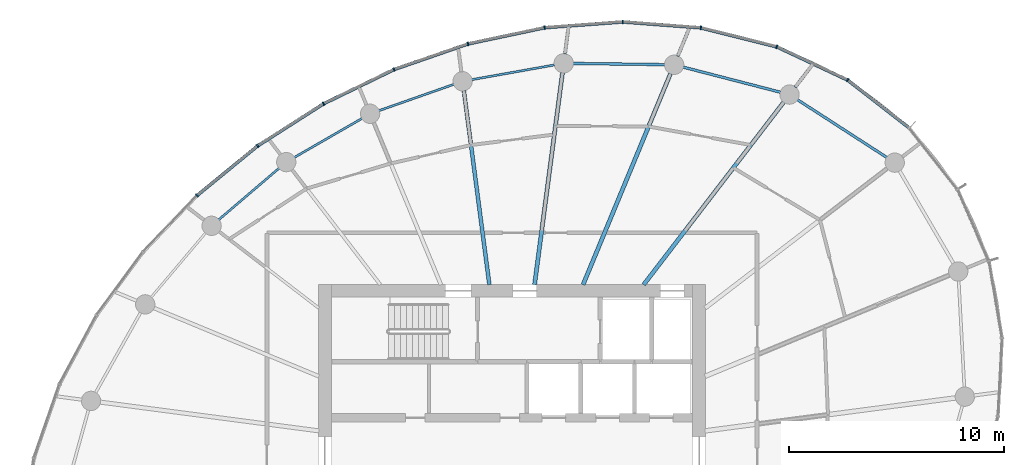
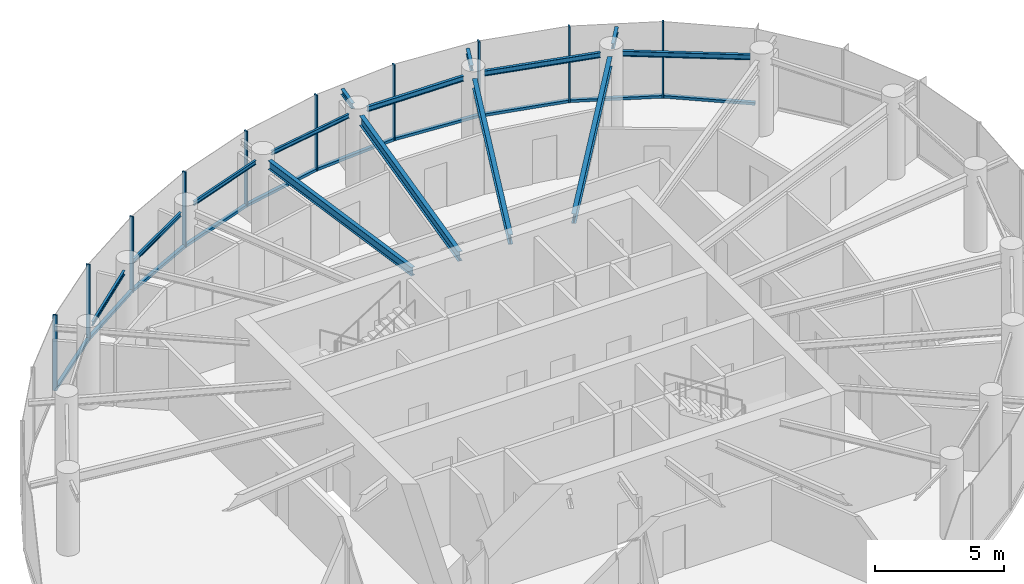
# One storey, part 6 of 14: 20 members, 14 beams, 2 elements without a shape of their own.
"""IFC4 building model written with IfcOpenShell, lengths in metres."""

from ifc_helpers import new_model, si_unit, direction, frame, origin, origin_2d, place, context, subcontext, project, spatial, rectangle, i_section, extrude, source, transform, mapped, material, layer, layer_set, material_profile, profile_set, type_object, element, aggregate, save


model = new_model("IFC4")

# Units and contexts
model_context = context("Model", 3, precision=1e-05, world=origin(), true_north=direction((0.0, 1.0)))
body_context = subcontext(model_context, "Body", "Model", "MODEL_VIEW")
ifc_project = project(units=[si_unit("LENGTHUNIT", "METRE"), si_unit("AREAUNIT", "SQUARE_METRE"), si_unit("VOLUMEUNIT", "CUBIC_METRE"), si_unit("PLANEANGLEUNIT", "RADIAN"), si_unit("MASSUNIT", "GRAM", prefix="KILO")], contexts=[model_context])

# Site, building, storey
site_placement = place(None, origin())
site = spatial("IfcSite", under=ifc_project, at=site_placement, CompositionType="ELEMENT")
building_placement = place(site_placement, origin())
building = spatial("IfcBuilding", under=site, at=building_placement, Name="Spindrift Exchange Tower", CompositionType="ELEMENT")
storey_placement = place(building_placement, frame((0.0, 0.0, 211.10009765625)))
storey = spatial("IfcBuildingStorey", under=building, at=storey_placement, Name="L51", CompositionType="ELEMENT", Elevation=211.10009765625)

# Beams
ifc_material_1 = material(Name="Steel Grade 300", Category="steel")
ifc_material_profile_1 = material_profile(ifc_material_1, i_section(OverallWidth=0.18994140625, OverallDepth=0.4541015625, WebThickness=0.008544921875, FlangeThickness=0.0126953125, FilletRadius=0.013916015625, at=origin_2d()), Name="460UB67.1")
ifc_profile_set_1 = profile_set([ifc_material_profile_1], Name="Steel Grade 300")
beam_type_1 = type_object("IfcBeamType", Name="Floor Beam 460UB67.1 Steel Grade 300", PredefinedType="BEAM", material=ifc_profile_set_1)
shared_shape_1 = source(origin(), body_context, "Body", "SweptSolid", [
    extrude(i_section(OverallWidth=0.18994140625, OverallDepth=0.4541015625, WebThickness=0.008544921875, FlangeThickness=0.0126953125, FilletRadius=0.013916015625, at=origin_2d()), origin(), (0.0, 0.0, 1.0), 10.711181640625),
])
beam_1_placement = place(storey_placement, frame((58.12646484375, 55.984130859375, 3.352783203125), z_axis=(0.608756401092, 0.793357198322, 0.0), x_axis=(-0.793357198322, 0.608756401092, 0.0)))
element("IfcBeam", 1, at=beam_1_placement, inside=storey, type_object=beam_type_1, Name="L51 radial beam R04A", PredefinedType="BEAM", context=body_context, shape_type="MappedRepresentation", body=[
    mapped(shared_shape_1, transform((0.0, 0.0, 0.0), scale=1.0)),
])
shared_shape_2 = source(origin(), body_context, "Body", "SweptSolid", [
    extrude(i_section(OverallWidth=0.18994140625, OverallDepth=0.4541015625, WebThickness=0.008544921875, FlangeThickness=0.0126953125, FilletRadius=0.013916015625, at=origin_2d()), origin(), (0.0, 0.0, 1.0), 10.64111328125),
])
beam_2_placement = place(storey_placement, frame((55.30615234375, 55.9814453125, 3.352783203125), z_axis=(0.382672627597, 0.923884007919, 0.0), x_axis=(-0.923884007919, 0.382672627597, 0.0)))
element("IfcBeam", 2, at=beam_2_placement, inside=storey, type_object=beam_type_1, Name="L51 radial beam R05A", PredefinedType="BEAM", context=body_context, shape_type="MappedRepresentation", body=[
    mapped(shared_shape_2, transform((0.0, 0.0, 0.0), scale=1.0)),
])
shared_shape_3 = source(origin(), body_context, "Body", "SweptSolid", [
    extrude(i_section(OverallWidth=0.18994140625, OverallDepth=0.4541015625, WebThickness=0.008544921875, FlangeThickness=0.0126953125, FilletRadius=0.013916015625, at=origin_2d()), origin(), (0.0, 0.0, 1.0), 9.95703125),
])
beam_3_placement = place(storey_placement, frame((53.050537109375, 55.980224609375, 3.352783203125), z_axis=(0.130541406635, 0.991442858239, 0.0), x_axis=(-0.991442858239, 0.130541406635, 0.0)))
element("IfcBeam", 3, at=beam_3_placement, inside=storey, type_object=beam_type_1, Name="L51 radial beam R06A", PredefinedType="BEAM", context=body_context, shape_type="MappedRepresentation", body=[
    mapped(shared_shape_3, transform((0.0, 0.0, 0.0), scale=1.0)),
])
ifc_material_profile_2 = material_profile(ifc_material_1, i_section(OverallWidth=0.177978515625, OverallDepth=0.403076171875, WebThickness=0.007568359375, FlangeThickness=0.010986328125, FilletRadius=0.013916015625, at=origin_2d()), Name="410UB53.7")
ifc_profile_set_2 = profile_set([ifc_material_profile_2], Name="Steel Grade 300")
beam_type_2 = type_object("IfcBeamType", Name="Floor Beam 410UB53.7 Steel Grade 300", PredefinedType="BEAM", material=ifc_profile_set_2)
shared_shape_4 = source(origin(), body_context, "Body", "SweptSolid", [
    extrude(i_section(OverallWidth=0.177978515625, OverallDepth=0.403076171875, WebThickness=0.007568359375, FlangeThickness=0.010986328125, FilletRadius=0.013916015625, at=origin_2d()), origin(), (0.0, 0.0, 1.0), 9.11376953125),
])
beam_4_placement = place(storey_placement, frame((50.949462890625, 55.980224609375, 3.37841796875), z_axis=(-0.130536972606, 0.991443442049, 0.0), x_axis=(-0.991443442049, -0.130536972606, 0.0)))
element("IfcBeam", 4, at=beam_4_placement, inside=storey, type_object=beam_type_2, Name="L51 radial beam R07A", PredefinedType="BEAM", context=body_context, shape_type="MappedRepresentation", body=[
    mapped(shared_shape_4, transform((0.0, 0.0, 0.0), scale=1.0)),
])
ifc_material_profile_3 = material_profile(ifc_material_1, i_section(OverallWidth=0.1240234375, OverallDepth=0.248046875, WebThickness=0.0048828125, FlangeThickness=0.008056640625, FilletRadius=0.011962890625, at=origin_2d()), Name="250UB25.7")
ifc_profile_set_3 = profile_set([ifc_material_profile_3], Name="Steel Grade 300")
beam_type_3 = type_object("IfcBeamType", Name="Edge Beam 250UB25.7 Steel Grade 300", PredefinedType="SPANDREL", material=ifc_profile_set_3)
shared_shape_5 = source(origin(), body_context, "Body", "SweptSolid", [
    extrude(i_section(OverallWidth=0.1240234375, OverallDepth=0.248046875, WebThickness=0.0048828125, FlangeThickness=0.008056640625, FilletRadius=0.011962890625, at=origin_2d()), origin(), (0.0, 0.0, 1.0), 4.966552734375),
])
beam_5_placement = place(storey_placement, frame((69.44091796875, 61.893310546875, 3.455810546875), z_axis=(-0.839802198579, 0.54289250065, 0.0), x_axis=(-0.54289250065, -0.839802198579, 0.0)))
element("IfcBeam", 5, at=beam_5_placement, inside=storey, type_object=beam_type_3, Name="L51 edge beam E03", PredefinedType="SPANDREL", context=body_context, shape_type="MappedRepresentation", body=[
    mapped(shared_shape_5, transform((0.0, 0.0, 0.0), scale=1.0)),
])
shared_shape_6 = source(origin(), body_context, "Body", "SweptSolid", [
    extrude(i_section(OverallWidth=0.1240234375, OverallDepth=0.248046875, WebThickness=0.0048828125, FlangeThickness=0.008056640625, FilletRadius=0.011962890625, at=origin_2d()), origin(), (0.0, 0.0, 1.0), 4.682373046875),
])
beam_6_placement = place(storey_placement, frame((64.492431640625, 64.9306640625, 3.455810546875), z_axis=(-0.968201586176, 0.250171318352, 0.0), x_axis=(-0.250171318352, -0.968201586176, 0.0)))
element("IfcBeam", 6, at=beam_6_placement, inside=storey, type_object=beam_type_3, Name="L51 edge beam E04", PredefinedType="SPANDREL", context=body_context, shape_type="MappedRepresentation", body=[
    mapped(shared_shape_6, transform((0.0, 0.0, 0.0), scale=1.0)),
])
shared_shape_7 = source(origin(), body_context, "Body", "SweptSolid", [
    extrude(i_section(OverallWidth=0.1240234375, OverallDepth=0.248046875, WebThickness=0.0048828125, FlangeThickness=0.008056640625, FilletRadius=0.011962890625, at=origin_2d()), origin(), (0.0, 0.0, 1.0), 4.27685546875),
])
beam_7_placement = place(storey_placement, frame((59.11279296875, 66.21533203125, 3.455810546875), z_axis=(-0.999910013527, 0.013415097807, 0.0), x_axis=(-0.013415097807, -0.999910013527, 0.0)))
element("IfcBeam", 7, at=beam_7_placement, inside=storey, type_object=beam_type_3, Name="L51 edge beam E05", PredefinedType="SPANDREL", context=body_context, shape_type="MappedRepresentation", body=[
    mapped(shared_shape_7, transform((0.0, 0.0, 0.0), scale=1.0)),
])
ifc_material_profile_4 = material_profile(ifc_material_1, i_section(OverallWidth=0.09912109375, OverallDepth=0.197998046875, WebThickness=0.00439453125, FlangeThickness=0.007080078125, FilletRadius=0.010986328125, at=origin_2d()), Name="200UB18.2")
ifc_profile_set_4 = profile_set([ifc_material_profile_4], Name="Steel Grade 300")
beam_type_4 = type_object("IfcBeamType", Name="Edge Beam 200UB18.2 Steel Grade 300", PredefinedType="SPANDREL", material=ifc_profile_set_4)
shared_shape_8 = source(origin(), body_context, "Body", "SweptSolid", [
    extrude(i_section(OverallWidth=0.09912109375, OverallDepth=0.197998046875, WebThickness=0.00439453125, FlangeThickness=0.007080078125, FilletRadius=0.010986328125, at=origin_2d()), origin(), (0.0, 0.0, 1.0), 3.916259765625),
])
beam_8_placement = place(storey_placement, frame((53.98291015625, 66.203125, 3.48095703125), z_axis=(-0.984558687682, -0.175054821441, 0.0), x_axis=(0.175054821441, -0.984558687682, 0.0)))
element("IfcBeam", 8, at=beam_8_placement, inside=storey, type_object=beam_type_4, Name="L51 edge beam E06", PredefinedType="SPANDREL", context=body_context, shape_type="MappedRepresentation", body=[
    mapped(shared_shape_8, transform((0.0, 0.0, 0.0), scale=1.0)),
])
shared_shape_9 = source(origin(), body_context, "Body", "SweptSolid", [
    extrude(i_section(OverallWidth=0.09912109375, OverallDepth=0.197998046875, WebThickness=0.00439453125, FlangeThickness=0.007080078125, FilletRadius=0.010986328125, at=origin_2d()), origin(), (0.0, 0.0, 1.0), 3.700439453125),
])
beam_9_placement = place(storey_placement, frame((49.298095703125, 65.300048828125, 3.48095703125), z_axis=(-0.943515334916, -0.331328858957, 0.0), x_axis=(0.331328858957, -0.943515334916, 0.0)))
element("IfcBeam", 9, at=beam_9_placement, inside=storey, type_object=beam_type_4, Name="L51 edge beam E07", PredefinedType="SPANDREL", context=body_context, shape_type="MappedRepresentation", body=[
    mapped(shared_shape_9, transform((0.0, 0.0, 0.0), scale=1.0)),
])
shared_shape_10 = source(origin(), body_context, "Body", "SweptSolid", [
    extrude(i_section(OverallWidth=0.09912109375, OverallDepth=0.197998046875, WebThickness=0.00439453125, FlangeThickness=0.007080078125, FilletRadius=0.010986328125, at=origin_2d()), origin(), (0.0, 0.0, 1.0), 3.64208984375),
])
beam_10_placement = place(storey_placement, frame((45.028564453125, 63.716552734375, 3.48095703125), z_axis=(-0.866364093123, -0.499412913476, 0.0), x_axis=(0.499412913476, -0.866364093123, 0.0)))
element("IfcBeam", 10, at=beam_10_placement, inside=storey, type_object=beam_type_4, Name="L51 edge beam E08", PredefinedType="SPANDREL", context=body_context, shape_type="MappedRepresentation", body=[
    mapped(shared_shape_10, transform((0.0, 0.0, 0.0), scale=1.0)),
])
shared_shape_11 = source(origin(), body_context, "Body", "SweptSolid", [
    extrude(i_section(OverallWidth=0.09912109375, OverallDepth=0.197998046875, WebThickness=0.00439453125, FlangeThickness=0.007080078125, FilletRadius=0.010986328125, at=origin_2d()), origin(), (0.0, 0.0, 1.0), 3.703857421875),
])
beam_11_placement = place(storey_placement, frame((41.173583984375, 61.40380859375, 3.48095703125), z_axis=(-0.7606692863, -0.64913961278, 0.0), x_axis=(0.64913961278, -0.7606692863, 0.0)))
element("IfcBeam", 11, at=beam_11_placement, inside=storey, type_object=beam_type_4, Name="L51 edge beam E09", PredefinedType="SPANDREL", context=body_context, shape_type="MappedRepresentation", body=[
    mapped(shared_shape_11, transform((0.0, 0.0, 0.0), scale=1.0)),
])
ifc_material_profile_5 = material_profile(ifc_material_1, i_section(OverallWidth=0.14599609375, OverallDepth=0.251953125, WebThickness=0.006103515625, FlangeThickness=0.008544921875, FilletRadius=0.011962890625, at=origin_2d()), Name="250UB31.4")
ifc_profile_set_5 = profile_set([ifc_material_profile_5], Name="Steel Grade 300")
beam_type_5 = type_object("IfcBeamType", Name="Cantilever Beam 250UB31.4 Steel Grade 300", PredefinedType="BEAM", material=ifc_profile_set_5)
shared_shape_12 = source(origin(), body_context, "Body", "SweptSolid", [
    extrude(i_section(OverallWidth=0.14599609375, OverallDepth=0.251953125, WebThickness=0.006103515625, FlangeThickness=0.008544921875, FilletRadius=0.011962890625, at=origin_2d()), origin(), (0.0, 0.0, 1.0), 1.1591796875),
])
beam_12_placement = place(storey_placement, frame((65.170654296875, 65.164306640625, 3.453857421875), z_axis=(0.608692390952, 0.793406310283, 0.0), x_axis=(-0.793406310283, 0.608692390952, 0.0)))
element("IfcBeam", 12, at=beam_12_placement, inside=storey, type_object=beam_type_5, Name="L51 cantilever beam R04T", PredefinedType="BEAM", context=body_context, shape_type="MappedRepresentation", body=[
    mapped(shared_shape_12, transform((0.0, 0.0, 0.0), scale=1.0)),
])
shared_shape_13 = source(origin(), body_context, "Body", "SweptSolid", [
    extrude(i_section(OverallWidth=0.14599609375, OverallDepth=0.251953125, WebThickness=0.006103515625, FlangeThickness=0.008544921875, FilletRadius=0.011962890625, at=origin_2d()), origin(), (0.0, 0.0, 1.0), 1.18994140625),
])
beam_13_placement = place(storey_placement, frame((59.707275390625, 66.60693359375, 3.453857421875), z_axis=(0.382647763895, 0.923894306069, 0.0), x_axis=(-0.923894306069, 0.382647763895, 0.0)))
element("IfcBeam", 13, at=beam_13_placement, inside=storey, type_object=beam_type_5, Name="L51 cantilever beam R05T", PredefinedType="BEAM", context=body_context, shape_type="MappedRepresentation", body=[
    mapped(shared_shape_13, transform((0.0, 0.0, 0.0), scale=1.0)),
])
shared_shape_14 = source(origin(), body_context, "Body", "SweptSolid", [
    extrude(i_section(OverallWidth=0.14599609375, OverallDepth=0.251953125, WebThickness=0.006103515625, FlangeThickness=0.008544921875, FilletRadius=0.011962890625, at=origin_2d()), origin(), (0.0, 0.0, 1.0), 1.076904296875),
])
beam_14_placement = place(storey_placement, frame((54.46240234375, 66.70458984375, 3.453857421875), z_axis=(0.130589399912, 0.991436537874, 0.0), x_axis=(-0.991436537874, 0.130589399912, 0.0)))
element("IfcBeam", 14, at=beam_14_placement, inside=storey, type_object=beam_type_5, Name="L51 cantilever beam R06T", PredefinedType="BEAM", context=body_context, shape_type="MappedRepresentation", body=[
    mapped(shared_shape_14, transform((0.0, 0.0, 0.0), scale=1.0)),
])

# Curtain wall, members
ifc_material_2 = material(Name="Fritted laminated glass with bronze frame", Category="glass")
ifc_layer = layer(ifc_material_2, 0.169921875)
ifc_layer_set = layer_set([ifc_layer], Name="ZONE 4 BRONZE FRITTED WALL")
curtain_wall_type = type_object("IfcCurtainWallType", Name="ZONE 4 BRONZE FRITTED WALL", PredefinedType="NOTDEFINED", material=ifc_layer_set)
curtain_wall_1_placement = place(storey_placement, origin())
curtain_wall_1 = element("IfcCurtainWall", 15, at=curtain_wall_1_placement, inside=storey, type_object=curtain_wall_type, Name="L51 Zone 4 Bronze Fritted Wall run 1", PredefinedType="NOTDEFINED")
ifc_material_3 = material(Name="Bronze anodised aluminium", Category="aluminium")
ifc_material_profile_6 = material_profile(ifc_material_3, rectangle(XDim=0.06494140625, YDim=0.169921875, at=origin_2d()), Name="ZONE 4 BRONZE FRITTED WALL MULLION 65X170")
ifc_profile_set_6 = profile_set([ifc_material_profile_6], Name="Bronze anodised aluminium")
member_type_1 = type_object("IfcMemberType", Name="ZONE 4 BRONZE FRITTED WALL MULLION 65X170", PredefinedType="MULLION", material=ifc_profile_set_6)
shared_shape_15 = source(origin(), body_context, "Body", "SweptSolid", [
    extrude(rectangle(XDim=0.06494140625, YDim=0.169921875, at=origin_2d()), origin(), (0.0, 0.0, 1.0), 3.579833984375),
])
member_1_placement = place(storey_placement, frame((67.607177734375, 65.50390625, 0.0), z_axis=(0.0, 0.0, 1.0), x_axis=(-0.852724010712, 0.522361715247, 0.0)))
member_1 = element("IfcMember", 16, at=member_1_placement, type_object=member_type_1, Name="L51 mullion CW-4.3", PredefinedType="MULLION", context=body_context, shape_type="MappedRepresentation", body=[
    mapped(shared_shape_15, transform((0.0, 0.0, 0.0), scale=1.0)),
])
member_2_placement = place(storey_placement, frame((64.313720703125, 67.050048828125, 0.0), z_axis=(0.0, 0.0, 1.0), x_axis=(-0.942124269775, 0.33526386668, 0.0)))
member_2 = element("IfcMember", 17, at=member_2_placement, type_object=member_type_1, Name="L51 mullion CW-4.4", PredefinedType="MULLION", context=body_context, shape_type="MappedRepresentation", body=[
    mapped(shared_shape_15, transform((0.0, 0.0, 0.0), scale=1.0)),
])
member_3_placement = place(storey_placement, frame((60.7822265625, 67.932373046875, 0.0), z_axis=(0.0, 0.0, 1.0), x_axis=(-0.987190767249, 0.159544316911, 0.0)))
member_3 = element("IfcMember", 18, at=member_3_placement, type_object=member_type_1, Name="L51 mullion CW-4.5", PredefinedType="MULLION", context=body_context, shape_type="MappedRepresentation", body=[
    mapped(shared_shape_15, transform((0.0, 0.0, 0.0), scale=1.0)),
])
member_4_placement = place(storey_placement, frame((57.151611328125, 68.20751953125, 0.0), z_axis=(0.0, 0.0, 1.0), x_axis=(-0.999999580471, 0.000916000622, 0.0)))
member_4 = element("IfcMember", 19, at=member_4_placement, type_object=member_type_1, Name="L51 mullion CW-4.6", PredefinedType="MULLION", context=body_context, shape_type="MappedRepresentation", body=[
    mapped(shared_shape_15, transform((0.0, 0.0, 0.0), scale=1.0)),
])

curtain_wall_2_placement = place(storey_placement, origin())
curtain_wall_2 = element("IfcCurtainWall", 20, at=curtain_wall_2_placement, inside=storey, type_object=curtain_wall_type, Name="L51 Zone 4 Bronze Fritted Wall run 2", PredefinedType="NOTDEFINED")
member_5_placement = place(storey_placement, frame((53.519775390625, 67.93896484375, 0.0), z_axis=(0.0, 0.0, 1.0), x_axis=(-0.990048214499, -0.140728579069, 0.0)))
member_5 = element("IfcMember", 21, at=member_5_placement, type_object=member_type_1, Name="L51 mullion CW-4.7", PredefinedType="MULLION", context=body_context, shape_type="MappedRepresentation", body=[
    mapped(shared_shape_15, transform((0.0, 0.0, 0.0), scale=1.0)),
])
member_6_placement = place(storey_placement, frame((49.956298828125, 67.1845703125, 0.0), z_axis=(0.0, 0.0, 1.0), x_axis=(-0.963495334577, -0.267725120691, 0.0)))
member_6 = element("IfcMember", 22, at=member_6_placement, type_object=member_type_1, Name="L51 mullion CW-4.8", PredefinedType="MULLION", context=body_context, shape_type="MappedRepresentation", body=[
    mapped(shared_shape_15, transform((0.0, 0.0, 0.0), scale=1.0)),
])
member_7_placement = place(storey_placement, frame((46.514404296875, 65.9921875, 0.0), z_axis=(0.0, 0.0, 1.0), x_axis=(-0.923806847935, -0.382858861343, 0.0)))
member_7 = element("IfcMember", 23, at=member_7_placement, type_object=member_type_1, Name="L51 mullion CW-4.9", PredefinedType="MULLION", context=body_context, shape_type="MappedRepresentation", body=[
    mapped(shared_shape_15, transform((0.0, 0.0, 0.0), scale=1.0)),
])
member_8_placement = place(storey_placement, frame((43.23779296875, 64.400146484375, 0.0), z_axis=(0.0, 0.0, 1.0), x_axis=(-0.872479420623, -0.488650857556, 0.0)))
member_8 = element("IfcMember", 24, at=member_8_placement, type_object=member_type_1, Name="L51 mullion CW-4.10", PredefinedType="MULLION", context=body_context, shape_type="MappedRepresentation", body=[
    mapped(shared_shape_15, transform((0.0, 0.0, 0.0), scale=1.0)),
])
member_9_placement = place(storey_placement, frame((40.16845703125, 62.438232421875, 0.0), z_axis=(0.0, 0.0, 1.0), x_axis=(-0.809564430533, -0.587031032243, 0.0)))
member_9 = element("IfcMember", 25, at=member_9_placement, type_object=member_type_1, Name="L51 mullion CW-4.11", PredefinedType="MULLION", context=body_context, shape_type="MappedRepresentation", body=[
    mapped(shared_shape_15, transform((0.0, 0.0, 0.0), scale=1.0)),
])
member_10_placement = place(storey_placement, frame((37.349853515625, 60.130615234375, 0.0), z_axis=(0.0, 0.0, 1.0), x_axis=(-0.73392824111, -0.67922701426, 0.0)))
member_10 = element("IfcMember", 26, at=member_10_placement, type_object=member_type_1, Name="L51 mullion CW-4.12", PredefinedType="MULLION", context=body_context, shape_type="MappedRepresentation", body=[
    mapped(shared_shape_15, transform((0.0, 0.0, 0.0), scale=1.0)),
])
ifc_material_profile_7 = material_profile(ifc_material_3, rectangle(XDim=0.14990234375, YDim=0.125, at=origin_2d()), Name="ZONE 4 BRONZE FRITTED WALL TRANSOM 150X125")
ifc_profile_set_7 = profile_set([ifc_material_profile_7], Name="Bronze anodised aluminium")
member_type_2 = type_object("IfcMemberType", Name="ZONE 4 BRONZE FRITTED WALL TRANSOM 150X125", PredefinedType="USERDEFINED", material=ifc_profile_set_7)
shared_shape_16 = source(origin(), body_context, "Body", "SweptSolid", [
    extrude(rectangle(XDim=0.14990234375, YDim=0.125, at=origin_2d()), origin(), (0.0, 0.0, 1.0), 3.57763671875),
])
member_11_placement = place(storey_placement, frame((49.925537109375, 67.174072265625, 0.0625), z_axis=(-0.944905726634, -0.327342584723, 0.0), x_axis=(0.327342584723, -0.944905726634, 0.0)))
member_11 = element("IfcMember", 27, at=member_11_placement, type_object=member_type_2, Name="L51 transom CW-4.8", ObjectType="TRANSOM", PredefinedType="USERDEFINED", context=body_context, shape_type="MappedRepresentation", body=[
    mapped(shared_shape_16, transform((0.0, 0.0, 0.0), scale=1.0)),
])
member_12_placement = place(storey_placement, frame((40.143310546875, 62.417724609375, 0.0625), z_axis=(-0.773768761477, -0.633468155286, 0.0), x_axis=(0.633468155286, -0.773768761477, 0.0)))
member_12 = element("IfcMember", 28, at=member_12_placement, type_object=member_type_2, Name="L51 transom CW-4.11", ObjectType="TRANSOM", PredefinedType="USERDEFINED", context=body_context, shape_type="MappedRepresentation", body=[
    mapped(shared_shape_16, transform((0.0, 0.0, 0.0), scale=1.0)),
])
shared_shape_17 = source(origin(), body_context, "Body", "SweptSolid", [
    extrude(rectangle(XDim=0.14990234375, YDim=0.125, at=origin_2d()), origin(), (0.0, 0.0, 1.0), 3.577880859375),
])
member_13_placement = place(storey_placement, frame((46.485107421875, 65.97802734375, 0.0625), z_axis=(-0.899433057452, -0.437058548895, 0.0), x_axis=(0.437058548895, -0.899433057452, 0.0)))
member_13 = element("IfcMember", 29, at=member_13_placement, type_object=member_type_2, Name="L51 transom CW-4.9", ObjectType="TRANSOM", PredefinedType="USERDEFINED", context=body_context, shape_type="MappedRepresentation", body=[
    mapped(shared_shape_17, transform((0.0, 0.0, 0.0), scale=1.0)),
])
member_14_placement = place(storey_placement, frame((43.21044921875, 64.3828125, 0.0625), z_axis=(-0.842572404044, -0.538583089174, 0.0), x_axis=(0.538583089174, -0.842572404044, 0.0)))
member_14 = element("IfcMember", 30, at=member_14_placement, type_object=member_type_2, Name="L51 transom CW-4.10", ObjectType="TRANSOM", PredefinedType="USERDEFINED", context=body_context, shape_type="MappedRepresentation", body=[
    mapped(shared_shape_17, transform((0.0, 0.0, 0.0), scale=1.0)),
])
shared_shape_18 = source(origin(), body_context, "Body", "SweptSolid", [
    extrude(rectangle(XDim=0.14990234375, YDim=0.125, at=origin_2d()), origin(), (0.0, 0.0, 1.0), 3.577392578125),
])
member_15_placement = place(storey_placement, frame((53.48779296875, 67.93212890625, 0.0625), z_axis=(-0.978327640943, -0.207062857525, 0.0), x_axis=(0.207062857525, -0.978327640943, 0.0)))
member_15 = element("IfcMember", 31, at=member_15_placement, type_object=member_type_2, Name="L51 transom CW-4.7", ObjectType="TRANSOM", PredefinedType="USERDEFINED", context=body_context, shape_type="MappedRepresentation", body=[
    mapped(shared_shape_18, transform((0.0, 0.0, 0.0), scale=1.0)),
])
aggregate(curtain_wall_2, [member_5, member_15, member_6, member_11, member_7, member_13, member_8, member_14, member_9, member_12, member_10])

# Member
shared_shape_19 = source(origin(), body_context, "Body", "SweptSolid", [
    extrude(rectangle(XDim=0.14990234375, YDim=0.125, at=origin_2d()), origin(), (0.0, 0.0, 1.0), 3.576904296875),
])
member_16_placement = place(storey_placement, frame((57.119140625, 68.205078125, 0.0625), z_axis=(-0.997279288886, -0.073715805352, 0.0), x_axis=(0.073715805352, -0.997279288886, 0.0)))
member_16 = element("IfcMember", 32, at=member_16_placement, type_object=member_type_2, Name="L51 transom CW-4.6", ObjectType="TRANSOM", PredefinedType="USERDEFINED", context=body_context, shape_type="MappedRepresentation", body=[
    mapped(shared_shape_19, transform((0.0, 0.0, 0.0), scale=1.0)),
])

shared_shape_20 = source(origin(), body_context, "Body", "SweptSolid", [
    extrude(rectangle(XDim=0.14990234375, YDim=0.125, at=origin_2d()), origin(), (0.0, 0.0, 1.0), 3.571533203125),
])
member_17_placement = place(storey_placement, frame((70.45361328125, 63.293212890625, 0.0625), z_axis=(-0.789797382164, 0.613367830202, 0.0), x_axis=(-0.613367830202, -0.789797382164, 0.0)))
member_17 = element("IfcMember", 33, at=member_17_placement, type_object=member_type_2, Name="L51 transom CW-4.2", ObjectType="TRANSOM", PredefinedType="USERDEFINED", context=body_context, shape_type="MappedRepresentation", body=[
    mapped(shared_shape_20, transform((0.0, 0.0, 0.0), scale=1.0)),
])

shared_shape_21 = source(origin(), body_context, "Body", "SweptSolid", [
    extrude(rectangle(XDim=0.14990234375, YDim=0.125, at=origin_2d()), origin(), (0.0, 0.0, 1.0), 3.5732421875),
])
member_18_placement = place(storey_placement, frame((67.57763671875, 65.517578125, 0.0625), z_axis=(-0.905208516973, 0.424967693831, 0.0), x_axis=(-0.424967693831, -0.905208516973, 0.0)))
member_18 = element("IfcMember", 34, at=member_18_placement, type_object=member_type_2, Name="L51 transom CW-4.3", ObjectType="TRANSOM", PredefinedType="USERDEFINED", context=body_context, shape_type="MappedRepresentation", body=[
    mapped(shared_shape_21, transform((0.0, 0.0, 0.0), scale=1.0)),
])

shared_shape_22 = source(origin(), body_context, "Body", "SweptSolid", [
    extrude(rectangle(XDim=0.14990234375, YDim=0.125, at=origin_2d()), origin(), (0.0, 0.0, 1.0), 3.576171875),
])
member_19_placement = place(storey_placement, frame((60.75, 67.934814453125, 0.0625), z_axis=(-0.997145336542, 0.075506144202, 0.0), x_axis=(-0.075506144202, -0.997145336542, 0.0)))
member_19 = element("IfcMember", 35, at=member_19_placement, type_object=member_type_2, Name="L51 transom CW-4.5", ObjectType="TRANSOM", PredefinedType="USERDEFINED", context=body_context, shape_type="MappedRepresentation", body=[
    mapped(shared_shape_22, transform((0.0, 0.0, 0.0), scale=1.0)),
])

shared_shape_23 = source(origin(), body_context, "Body", "SweptSolid", [
    extrude(rectangle(XDim=0.14990234375, YDim=0.125, at=origin_2d()), origin(), (0.0, 0.0, 1.0), 3.5751953125),
])
member_20_placement = place(storey_placement, frame((64.2822265625, 67.057861328125, 0.0625), z_axis=(-0.970186671265, 0.242358872128, 0.0), x_axis=(-0.242358872128, -0.970186671265, 0.0)))
member_20 = element("IfcMember", 36, at=member_20_placement, type_object=member_type_2, Name="L51 transom CW-4.4", ObjectType="TRANSOM", PredefinedType="USERDEFINED", context=body_context, shape_type="MappedRepresentation", body=[
    mapped(shared_shape_23, transform((0.0, 0.0, 0.0), scale=1.0)),
])

aggregate(curtain_wall_1, [member_17, member_1, member_18, member_2, member_20, member_3, member_19, member_4, member_16])

save(model, "model.ifc")
